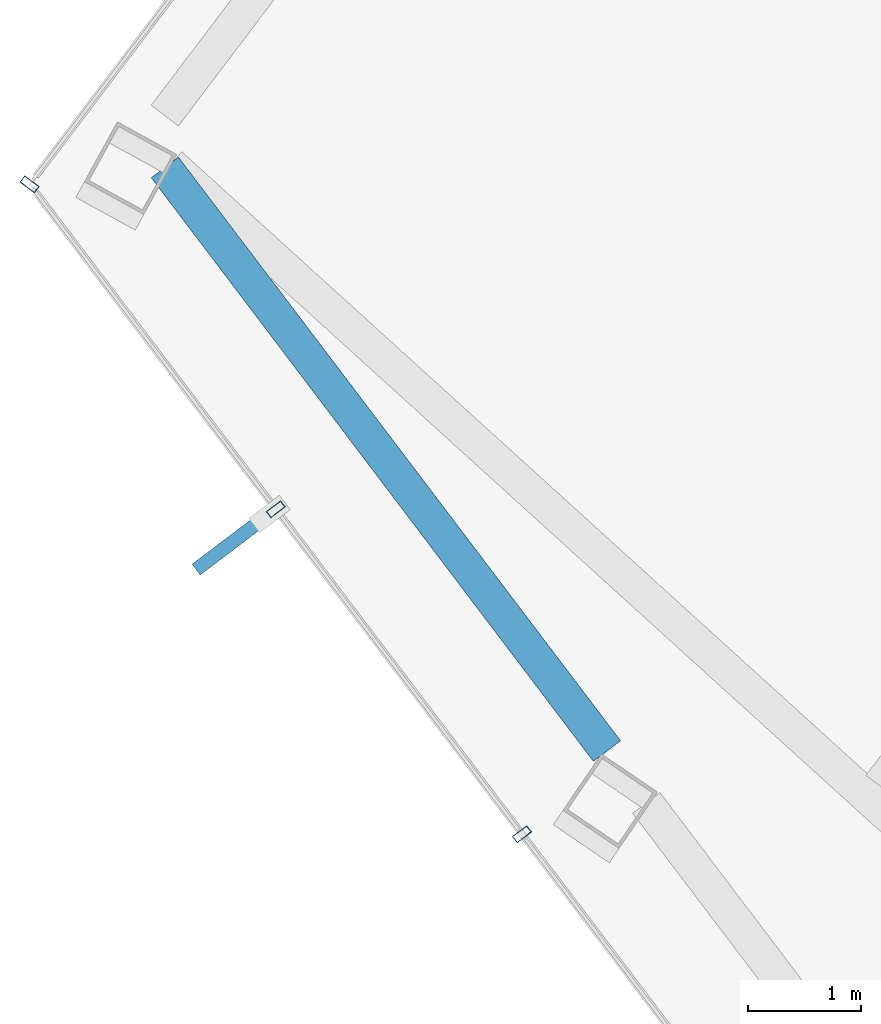
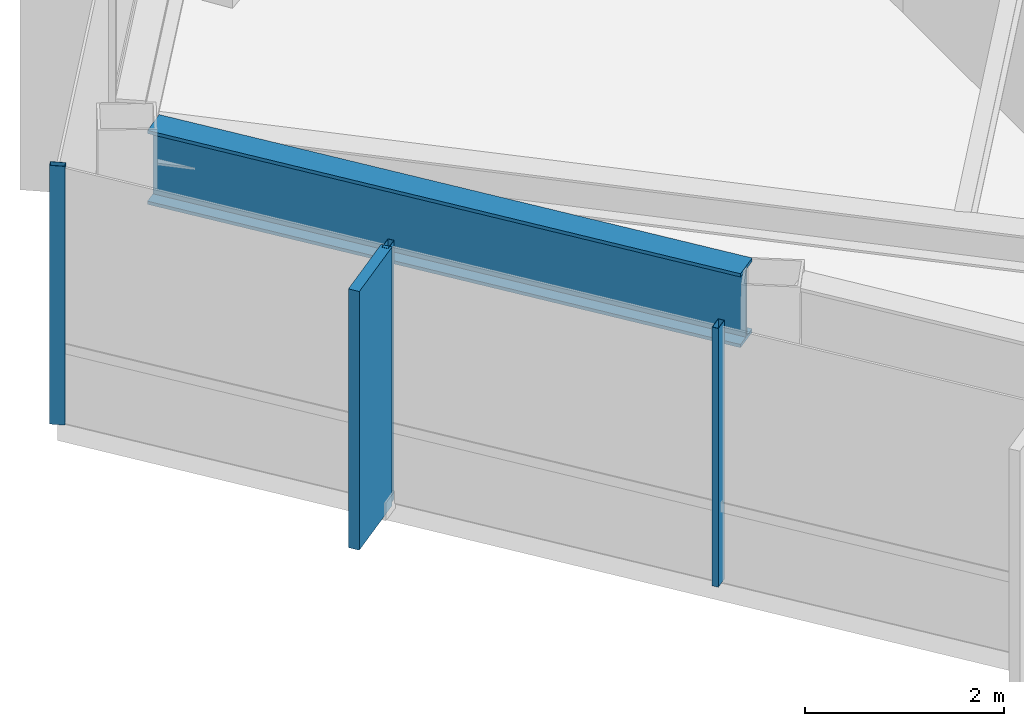
# One storey, part 8 of 25: 4 members, 1 beam, 2 elements without a shape of their own.
"""IFC4 building model written with IfcOpenShell, lengths in metres."""

import ifcopenshell
import ifcopenshell.guid

model = None  # the IFC model being written
_history = None  # IfcOwnerHistory: only IFC2X3 demands one
_inside = {}  # id of a spatial element -> (the spatial element, [elements in it])
_under = {}  # id of a project, library or spatial element -> (it, [spatial elements below it])
_declared = {}  # id of a project -> (the project, [libraries it declares])
_typed = {}  # id of a type object -> (the type object, [elements of that type])
_made_of = {}  # id of a material, layer set ... -> (it, [elements and type objects made of it])


def new_model(schema):
    """Start an empty IFC model of exactly this schema.

    Asked for "IFC4X3", IfcOpenShell would pick the latest addendum, in which some entities
    have other attributes; the version numbers below select the first issue.
    IFC2X3 requires an IfcOwnerHistory on every rooted entity: one is made here for all.
    """
    global model, _history
    if schema == "IFC4X3":
        model = ifcopenshell.file(schema_version=(4, 3, 0, 0))
    else:
        model = ifcopenshell.file(schema=schema)
    _inside.clear()
    _under.clear()
    _declared.clear()
    _typed.clear()
    _made_of.clear()
    _history = None
    if model.schema == "IFC2X3":
        org = make("IfcOrganization", Name="unknown")
        user = make(
            "IfcPersonAndOrganization",
            ThePerson=make("IfcPerson", FamilyName="unknown"),
            TheOrganization=org,
        )
        app = make(
            "IfcApplication",
            ApplicationDeveloper=org,
            Version="unknown",
            ApplicationFullName="unknown",
            ApplicationIdentifier="unknown",
        )
        _history = make(
            "IfcOwnerHistory",
            OwningUser=user,
            OwningApplication=app,
            ChangeAction="ADDED",
            CreationDate=0,
        )
    return model


def make(cls, **values):
    """One entity of the class cls with the attributes given. An attribute that is None is left unset."""
    return model.create_entity(
        cls, **{name: value for name, value in values.items() if value is not None}
    )


def rooted(cls, **values):
    """An entity with a GlobalId (a new one), such as an element, a storey or a relation."""
    return make(cls, GlobalId=ifcopenshell.guid.new(), OwnerHistory=_history, **values)


def si_unit(unit_type, name, prefix=None):
    """IfcSIUnit, for example si_unit("LENGTHUNIT", "METRE", prefix="MILLI")."""
    return make("IfcSIUnit", UnitType=unit_type, Prefix=prefix, Name=name)


def assignment(units):
    """IfcUnitAssignment: the units of a project."""
    return None if units is None else make("IfcUnitAssignment", Units=units)


def point(xyz):
    """IfcCartesianPoint."""
    return None if xyz is None else make("IfcCartesianPoint", Coordinates=xyz)


def direction(xyz):
    """IfcDirection."""
    return None if xyz is None else make("IfcDirection", DirectionRatios=xyz)


def frame(location, z_axis=None, x_axis=None):
    """IfcAxis2Placement3D, a coordinate frame: its origin and axes. An axis left out is left unset."""
    return make(
        "IfcAxis2Placement3D",
        Location=point(location),
        Axis=direction(z_axis),
        RefDirection=direction(x_axis),
    )


def frame_2d(location, x_axis=None):
    """IfcAxis2Placement2D, a coordinate frame in the plane: its origin and x axis."""
    return make(
        "IfcAxis2Placement2D", Location=point(location), RefDirection=direction(x_axis)
    )


def origin():
    """The frame at (0, 0, 0) with its axes left unset."""
    return frame((0.0, 0.0, 0.0))


def origin_2d():
    """The frame at (0, 0) in the plane with its x axis left unset."""
    return frame_2d((0.0, 0.0))


def place(relative_to, where):
    """IfcLocalPlacement: puts the frame where relative to a parent placement (None: the world)."""
    return make(
        "IfcLocalPlacement", PlacementRelTo=relative_to, RelativePlacement=where
    )


def context(
    kind, dimensions, precision=None, world=None, true_north=None, identifier=None
):
    """IfcGeometricRepresentationContext, for example the 3D "Model" context."""
    return make(
        "IfcGeometricRepresentationContext",
        ContextIdentifier=identifier,
        ContextType=kind,
        CoordinateSpaceDimension=dimensions,
        Precision=precision,
        WorldCoordinateSystem=world,
        TrueNorth=true_north,
    )


def subcontext(parent, identifier, kind, view, scale=None):
    """IfcGeometricRepresentationSubContext, for example "Body" below "Model"."""
    return make(
        "IfcGeometricRepresentationSubContext",
        ContextIdentifier=identifier,
        ContextType=kind,
        ParentContext=parent,
        TargetScale=scale,
        TargetView=view,
    )


def project(units=None, contexts=None):
    """IfcProject with its units and contexts."""
    return rooted(
        "IfcProject",
        Name="project",
        RepresentationContexts=contexts,
        UnitsInContext=assignment(units),
    )


def spatial(cls, under=None, at=None, **own):
    """A site, building, storey or space (cls), placed at a placement, below another one or the project."""
    s = rooted(cls, ObjectPlacement=at, **own)
    if under is not None:
        _under.setdefault(under.id(), (under, []))[1].append(s)
    return s


def profile(cls, at=None, kind="AREA", **sizes):
    """A parametric profile (cls). Its sizes go by their IFC names, for example OverallWidth=200.0."""
    return make(cls, ProfileType=kind, Position=at, **sizes)


def rectangle(**sizes):
    """IfcRectangleProfileDef."""
    return profile("IfcRectangleProfileDef", **sizes)


def hollow_rectangle(**sizes):
    """IfcRectangleHollowProfileDef."""
    return profile("IfcRectangleHollowProfileDef", **sizes)


def i_section(**sizes):
    """IfcIShapeProfileDef."""
    return profile("IfcIShapeProfileDef", **sizes)


def extrude(swept, where, along, depth):
    """IfcExtrudedAreaSolid: the profile swept, set in the frame where, extruded along a direction by depth."""
    return make(
        "IfcExtrudedAreaSolid",
        SweptArea=swept,
        Position=where,
        ExtrudedDirection=direction(along),
        Depth=depth,
    )


def shape(context_of_items, identifier, shape_type, items):
    """IfcShapeRepresentation: the items that make up one representation, for example the "Body"."""
    return make(
        "IfcShapeRepresentation",
        ContextOfItems=context_of_items,
        RepresentationIdentifier=identifier,
        RepresentationType=shape_type,
        Items=items,
    )


def material(Name=None, Category=None):
    """IfcMaterial."""
    return make("IfcMaterial", Name=Name, Category=Category)


def layer(
    of_material, thickness, ventilated=None, Name=None, Category=None, Priority=None
):
    """IfcMaterialLayer: one layer of a wall or slab, of a material (None: an air gap)."""
    return make(
        "IfcMaterialLayer",
        Material=of_material,
        LayerThickness=thickness,
        IsVentilated=ventilated,
        Name=Name,
        Category=Category,
        Priority=Priority,
    )


def layer_set(layers, Name=None):
    """IfcMaterialLayerSet."""
    return make("IfcMaterialLayerSet", MaterialLayers=layers, LayerSetName=Name)


def material_profile(
    of_material, cross_section, Name=None, Category=None, Priority=None
):
    """IfcMaterialProfile: a cross section and its material."""
    return make(
        "IfcMaterialProfile",
        Name=Name,
        Material=of_material,
        Profile=cross_section,
        Priority=Priority,
        Category=Category,
    )


def profile_set(profiles, Name=None, composite=None):
    """IfcMaterialProfileSet."""
    return make(
        "IfcMaterialProfileSet",
        Name=Name,
        MaterialProfiles=profiles,
        CompositeProfile=composite,
    )


def made_of(thing, what):
    """Note that an element or type object is made of a material, layer set ...; save() writes the relation."""
    if what is not None:
        _made_of.setdefault(what.id(), (what, []))[1].append(thing)
    return thing


def type_object(cls, material=None, **own):
    """A type object (cls), such as IfcWallType, which elements share."""
    return made_of(rooted(cls, **own), material)


def element(
    cls,
    number,
    at=None,
    inside=None,
    cuts=None,
    type_object=None,
    material=None,
    context=None,
    identifier="Body",
    shape_type=None,
    held_by="IfcProductDefinitionShape",
    body=None,
    shapes=None,
    **own,
):
    """One element of the class cls, such as IfcWall. Its Tag is "e" and its number.

    at: its placement. inside: the storey or other place that contains it. cuts: it is an
    opening in that element (IfcRelVoidsElement). A single representation is given by context,
    identifier, shape_type and body (its items); several are given by shapes. held_by: the class
    of the entity that holds the representations. save() writes the other relations.
    """
    e = rooted(cls, Tag="e%d" % number, ObjectPlacement=at, **own)
    if body is not None:
        shapes = [shape(context, identifier, shape_type, body)]
    if shapes is not None:
        e.Representation = make(held_by, Representations=shapes)
    if inside is not None:
        _inside.setdefault(inside.id(), (inside, []))[1].append(e)
    if cuts is not None:
        rooted(
            "IfcRelVoidsElement", RelatingBuildingElement=cuts, RelatedOpeningElement=e
        )
    if type_object is not None:
        _typed.setdefault(type_object.id(), (type_object, []))[1].append(e)
    return made_of(e, material)


def aggregate(whole, parts):
    """IfcRelAggregates: a whole, such as a stair, and the parts it consists of."""
    return rooted("IfcRelAggregates", RelatingObject=whole, RelatedObjects=parts)


def save(model, path):
    """Write the relations noted so far, then the file.

    IfcRelAggregates (storeys below a building ...), IfcRelContainedInSpatialStructure (elements
    in a storey), IfcRelDefinesByType, IfcRelAssociatesMaterial and IfcRelDeclares: one each for
    every whole, place, type object, material and project.
    """
    for whole, parts in _under.values():
        aggregate(whole, parts)
    for where, things in _inside.values():
        rooted(
            "IfcRelContainedInSpatialStructure",
            RelatedElements=things,
            RelatingStructure=where,
        )
    for kind, things in _typed.values():
        rooted("IfcRelDefinesByType", RelatedObjects=things, RelatingType=kind)
    for what, things in _made_of.values():
        rooted("IfcRelAssociatesMaterial", RelatedObjects=things, RelatingMaterial=what)
    for by, libraries in _declared.values():
        rooted("IfcRelDeclares", RelatingContext=by, RelatedDefinitions=libraries)
    model.write(path)


model = new_model("IFC4")

# Units and contexts
model_context = context("Model", 3, precision=1e-05, world=origin(), true_north=direction((0.0, 1.0)))
body_context = subcontext(model_context, "Body", "Model", "MODEL_VIEW")
ifc_project = project(units=[si_unit("LENGTHUNIT", "METRE"), si_unit("AREAUNIT", "SQUARE_METRE"), si_unit("VOLUMEUNIT", "CUBIC_METRE"), si_unit("PLANEANGLEUNIT", "RADIAN"), si_unit("MASSUNIT", "GRAM", prefix="KILO")], contexts=[model_context])

# Site, building, storey
site_placement = place(None, origin())
site = spatial("IfcSite", under=ifc_project, at=site_placement, CompositionType="ELEMENT")
building_placement = place(site_placement, origin())
building = spatial("IfcBuilding", under=site, at=building_placement, Name="Zarrinselat Tower", CompositionType="ELEMENT")
storey_placement = place(building_placement, frame((0.0, 0.0, 246.159912109375)))
storey = spatial("IfcBuildingStorey", under=building, at=storey_placement, Name="L62", CompositionType="ELEMENT", Elevation=246.159912109375)

# Beam
ifc_material_1 = material(Name="Steel S460M", Category="steel")
ifc_material_profile_1 = material_profile(ifc_material_1, i_section(OverallWidth=0.302001953125, OverallDepth=0.909912109375, WebThickness=0.02099609375, FlangeThickness=0.0400390625, at=origin_2d()), Name="HEM 900")
ifc_profile_set_1 = profile_set([ifc_material_profile_1], Name="Steel S460M")
beam_type = type_object("IfcBeamType", Name="BM-HEM900", PredefinedType="BEAM", material=ifc_profile_set_1)
beam_placement = place(storey_placement, frame((16.705078125, 41.724853515625, 2.72509765625), z_axis=(0.603856237533, -0.797093246987, 0.0), x_axis=(0.797093246987, 0.603856237533, 0.0)))
element("IfcBeam", 1, at=beam_placement, inside=storey, type_object=beam_type, Name="L62 Perimeter Spandrel Girder SP06", PredefinedType="BEAM", context=body_context, shape_type="SweptSolid", body=[
    extrude(i_section(OverallWidth=0.302001953125, OverallDepth=0.909912109375, WebThickness=0.02099609375, FlangeThickness=0.0400390625, at=origin_2d()), origin(), (0.0, 0.0, 1.0), 6.4814453125),
])

# Curtain wall, member
ifc_material_2 = material(Name="Extruded Aluminium Alloy EN AW-6063 T6", Category="aluminium")
ifc_layer = layer(ifc_material_2, 0.169921875)
ifc_layer_set = layer_set([ifc_layer], Name="Extruded Aluminium Alloy EN AW-6063 T6")
curtain_wall_type = type_object("IfcCurtainWallType", Name="CWS-RES", PredefinedType="NOTDEFINED", material=ifc_layer_set)
curtain_wall_1_placement = place(storey_placement, origin())
curtain_wall_1 = element("IfcCurtainWall", 2, at=curtain_wall_1_placement, inside=storey, type_object=curtain_wall_type, Name="L62 Unitised Curtain Wall CW-L62-E02", PredefinedType="NOTDEFINED")
ifc_material_3 = material(Name="Extruded Aluminium Alloy EN AW-6063 T6", Category="aluminium")
ifc_material_profile_2 = material_profile(ifc_material_3, hollow_rectangle(XDim=0.070068359375, YDim=0.159912109375, WallThickness=0.00390625, at=origin_2d()), Name="RHS 160x70x4")
ifc_profile_set_2 = profile_set([ifc_material_profile_2], Name="Extruded Aluminium Alloy EN AW-6063 T6")
member_type_1 = type_object("IfcMemberType", Name="MEM-CW-MUL2", PredefinedType="MULLION", material=ifc_profile_set_2)
member_1_placement = place(storey_placement, frame((15.5078125, 41.57568359375, 0.0), z_axis=(0.0, 0.0, 1.0), x_axis=(-0.603859107785, -0.797091072554, 0.0)))
member_1 = element("IfcMember", 3, at=member_1_placement, type_object=member_type_1, Name="CW-L62-E02 Mullion 2", PredefinedType="MULLION", context=body_context, shape_type="SweptSolid", body=[
    extrude(hollow_rectangle(XDim=0.070068359375, YDim=0.159912109375, WallThickness=0.00390625, at=origin_2d()), origin(), (0.0, 0.0, 1.0), 3.18017578125),
])
aggregate(curtain_wall_1, [member_1])

# Curtain wall, members
curtain_wall_2_placement = place(storey_placement, origin())
curtain_wall_2 = element("IfcCurtainWall", 4, at=curtain_wall_2_placement, inside=storey, type_object=curtain_wall_type, Name="L62 Unitised Curtain Wall CW-L62-E03", PredefinedType="NOTDEFINED")
member_2_placement = place(storey_placement, frame((17.68701171875, 38.69921875, 0.0), z_axis=(0.0, 0.0, 1.0), x_axis=(0.603857888062, -0.797091996588, 0.0)))
member_2 = element("IfcMember", 5, at=member_2_placement, type_object=member_type_1, Name="CW-L62-E03 Mullion 1", PredefinedType="MULLION", context=body_context, shape_type="SweptSolid", body=[
    extrude(hollow_rectangle(XDim=0.070068359375, YDim=0.159912109375, WallThickness=0.00390625, at=origin_2d()), origin(), (0.0, 0.0, 1.0), 3.18017578125),
])
member_3_placement = place(storey_placement, frame((19.8662109375, 35.822509765625, 0.0), z_axis=(0.0, 0.0, 1.0), x_axis=(0.603857888062, -0.797091996588, 0.0)))
member_3 = element("IfcMember", 6, at=member_3_placement, type_object=member_type_1, Name="CW-L62-E03 Mullion 2", PredefinedType="MULLION", context=body_context, shape_type="SweptSolid", body=[
    extrude(hollow_rectangle(XDim=0.070068359375, YDim=0.159912109375, WallThickness=0.00390625, at=origin_2d()), origin(), (0.0, 0.0, 1.0), 3.18017578125),
])
ifc_material_4 = material(Name="Honed Cream Travertine Stone", Category="masonry")
ifc_material_profile_3 = material_profile(ifc_material_4, rectangle(XDim=0.1201171875, YDim=0.85009765625, at=origin_2d()), Name="FIN 850x120")
ifc_profile_set_3 = profile_set([ifc_material_profile_3], Name="Honed Cream Travertine Stone")
member_type_2 = type_object("IfcMemberType", Name="MEM-STONE-FIN", PredefinedType="USERDEFINED", material=ifc_profile_set_3)
member_4_placement = place(storey_placement, frame((17.3203125, 38.42138671875, 0.0), z_axis=(0.0, 0.0, 1.0), x_axis=(-0.603857888062, 0.797091996588, 0.0)))
member_4 = element("IfcMember", 7, at=member_4_placement, type_object=member_type_2, Name="L62 Stone Shading Fin CW-L62-E03-01", ObjectType="FIN", PredefinedType="USERDEFINED", context=body_context, shape_type="SweptSolid", body=[
    extrude(rectangle(XDim=0.1201171875, YDim=0.85009765625, at=origin_2d()), origin(), (0.0, 0.0, 1.0), 3.18017578125),
])
aggregate(curtain_wall_2, [member_2, member_4, member_3])

save(model, "model.ifc")
